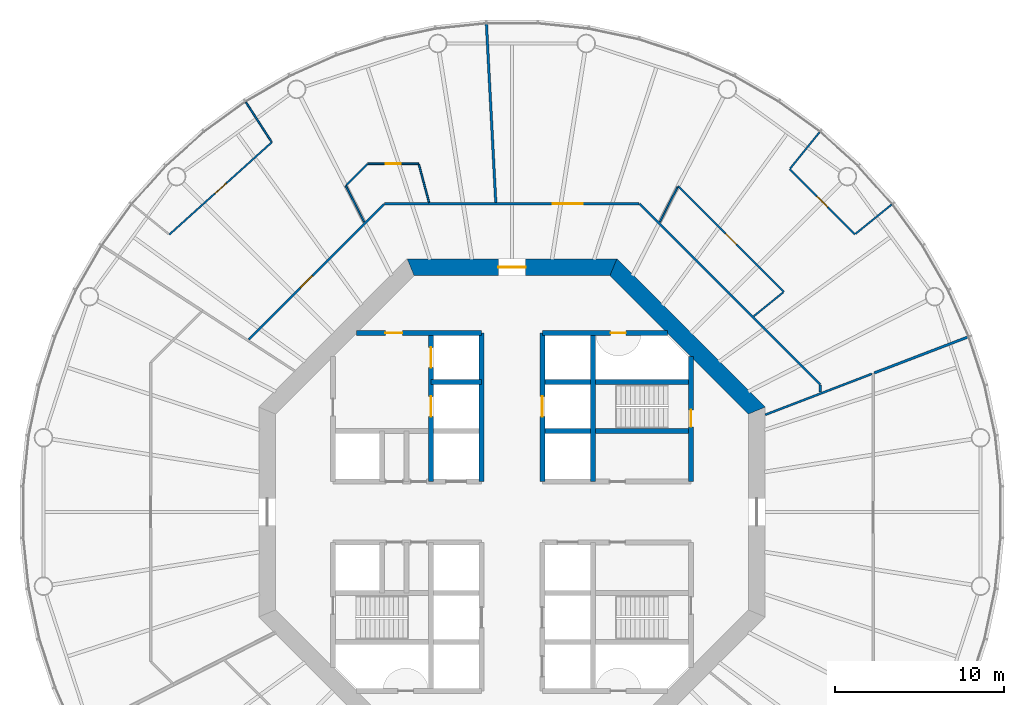
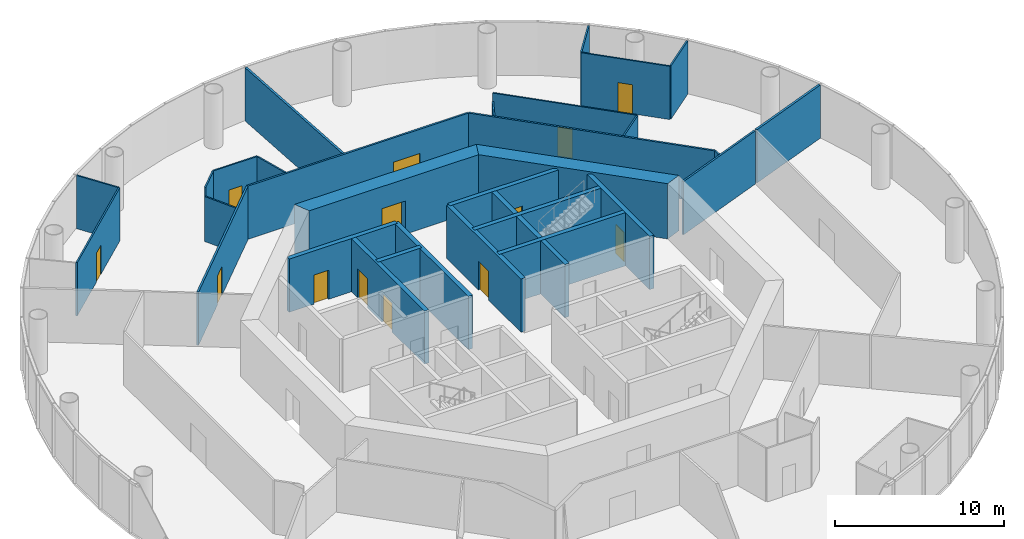
# One storey, part 5 of 13: 31 walls, 13 doors, 13 openings.
"""IFC4 building model written with IfcOpenShell, lengths in metres."""

import ifcopenshell
import ifcopenshell.guid

model = None  # the IFC model being written
_history = None  # IfcOwnerHistory: only IFC2X3 demands one
_inside = {}  # id of a spatial element -> (the spatial element, [elements in it])
_under = {}  # id of a project, library or spatial element -> (it, [spatial elements below it])
_declared = {}  # id of a project -> (the project, [libraries it declares])
_typed = {}  # id of a type object -> (the type object, [elements of that type])
_made_of = {}  # id of a material, layer set ... -> (it, [elements and type objects made of it])


def new_model(schema):
    """Start an empty IFC model of exactly this schema.

    Asked for "IFC4X3", IfcOpenShell would pick the latest addendum, in which some entities
    have other attributes; the version numbers below select the first issue.
    IFC2X3 requires an IfcOwnerHistory on every rooted entity: one is made here for all.
    """
    global model, _history
    if schema == "IFC4X3":
        model = ifcopenshell.file(schema_version=(4, 3, 0, 0))
    else:
        model = ifcopenshell.file(schema=schema)
    _inside.clear()
    _under.clear()
    _declared.clear()
    _typed.clear()
    _made_of.clear()
    _history = None
    if model.schema == "IFC2X3":
        org = make("IfcOrganization", Name="unknown")
        user = make(
            "IfcPersonAndOrganization",
            ThePerson=make("IfcPerson", FamilyName="unknown"),
            TheOrganization=org,
        )
        app = make(
            "IfcApplication",
            ApplicationDeveloper=org,
            Version="unknown",
            ApplicationFullName="unknown",
            ApplicationIdentifier="unknown",
        )
        _history = make(
            "IfcOwnerHistory",
            OwningUser=user,
            OwningApplication=app,
            ChangeAction="ADDED",
            CreationDate=0,
        )
    return model


def make(cls, **values):
    """One entity of the class cls with the attributes given. An attribute that is None is left unset."""
    return model.create_entity(
        cls, **{name: value for name, value in values.items() if value is not None}
    )


def rooted(cls, **values):
    """An entity with a GlobalId (a new one), such as an element, a storey or a relation."""
    return make(cls, GlobalId=ifcopenshell.guid.new(), OwnerHistory=_history, **values)


def si_unit(unit_type, name, prefix=None):
    """IfcSIUnit, for example si_unit("LENGTHUNIT", "METRE", prefix="MILLI")."""
    return make("IfcSIUnit", UnitType=unit_type, Prefix=prefix, Name=name)


def assignment(units):
    """IfcUnitAssignment: the units of a project."""
    return None if units is None else make("IfcUnitAssignment", Units=units)


def point(xyz):
    """IfcCartesianPoint."""
    return None if xyz is None else make("IfcCartesianPoint", Coordinates=xyz)


def direction(xyz):
    """IfcDirection."""
    return None if xyz is None else make("IfcDirection", DirectionRatios=xyz)


def frame(location, z_axis=None, x_axis=None):
    """IfcAxis2Placement3D, a coordinate frame: its origin and axes. An axis left out is left unset."""
    return make(
        "IfcAxis2Placement3D",
        Location=point(location),
        Axis=direction(z_axis),
        RefDirection=direction(x_axis),
    )


def frame_2d(location, x_axis=None):
    """IfcAxis2Placement2D, a coordinate frame in the plane: its origin and x axis."""
    return make(
        "IfcAxis2Placement2D", Location=point(location), RefDirection=direction(x_axis)
    )


def origin():
    """The frame at (0, 0, 0) with its axes left unset."""
    return frame((0.0, 0.0, 0.0))


def place(relative_to, where):
    """IfcLocalPlacement: puts the frame where relative to a parent placement (None: the world)."""
    return make(
        "IfcLocalPlacement", PlacementRelTo=relative_to, RelativePlacement=where
    )


def context(
    kind, dimensions, precision=None, world=None, true_north=None, identifier=None
):
    """IfcGeometricRepresentationContext, for example the 3D "Model" context."""
    return make(
        "IfcGeometricRepresentationContext",
        ContextIdentifier=identifier,
        ContextType=kind,
        CoordinateSpaceDimension=dimensions,
        Precision=precision,
        WorldCoordinateSystem=world,
        TrueNorth=true_north,
    )


def subcontext(parent, identifier, kind, view, scale=None):
    """IfcGeometricRepresentationSubContext, for example "Body" below "Model"."""
    return make(
        "IfcGeometricRepresentationSubContext",
        ContextIdentifier=identifier,
        ContextType=kind,
        ParentContext=parent,
        TargetScale=scale,
        TargetView=view,
    )


def project(units=None, contexts=None):
    """IfcProject with its units and contexts."""
    return rooted(
        "IfcProject",
        Name="project",
        RepresentationContexts=contexts,
        UnitsInContext=assignment(units),
    )


def spatial(cls, under=None, at=None, **own):
    """A site, building, storey or space (cls), placed at a placement, below another one or the project."""
    s = rooted(cls, ObjectPlacement=at, **own)
    if under is not None:
        _under.setdefault(under.id(), (under, []))[1].append(s)
    return s


def polyline(points):
    """IfcPolyline through the points."""
    return make("IfcPolyline", Points=[point(p) for p in points])


def profile(cls, at=None, kind="AREA", **sizes):
    """A parametric profile (cls). Its sizes go by their IFC names, for example OverallWidth=200.0."""
    return make(cls, ProfileType=kind, Position=at, **sizes)


def rectangle(**sizes):
    """IfcRectangleProfileDef."""
    return profile("IfcRectangleProfileDef", **sizes)


def outline(outer, holes=None, kind="AREA"):
    """IfcArbitraryClosedProfileDef: a profile drawn as a closed curve; with holes, ...WithVoids."""
    if holes is None:
        return make("IfcArbitraryClosedProfileDef", ProfileType=kind, OuterCurve=outer)
    return make(
        "IfcArbitraryProfileDefWithVoids",
        ProfileType=kind,
        OuterCurve=outer,
        InnerCurves=holes,
    )


def extrude(swept, where, along, depth):
    """IfcExtrudedAreaSolid: the profile swept, set in the frame where, extruded along a direction by depth."""
    return make(
        "IfcExtrudedAreaSolid",
        SweptArea=swept,
        Position=where,
        ExtrudedDirection=direction(along),
        Depth=depth,
    )


def shape(context_of_items, identifier, shape_type, items):
    """IfcShapeRepresentation: the items that make up one representation, for example the "Body"."""
    return make(
        "IfcShapeRepresentation",
        ContextOfItems=context_of_items,
        RepresentationIdentifier=identifier,
        RepresentationType=shape_type,
        Items=items,
    )


def material(Name=None, Category=None):
    """IfcMaterial."""
    return make("IfcMaterial", Name=Name, Category=Category)


def layer(
    of_material, thickness, ventilated=None, Name=None, Category=None, Priority=None
):
    """IfcMaterialLayer: one layer of a wall or slab, of a material (None: an air gap)."""
    return make(
        "IfcMaterialLayer",
        Material=of_material,
        LayerThickness=thickness,
        IsVentilated=ventilated,
        Name=Name,
        Category=Category,
        Priority=Priority,
    )


def layer_set(layers, Name=None):
    """IfcMaterialLayerSet."""
    return make("IfcMaterialLayerSet", MaterialLayers=layers, LayerSetName=Name)


def made_of(thing, what):
    """Note that an element or type object is made of a material, layer set ...; save() writes the relation."""
    if what is not None:
        _made_of.setdefault(what.id(), (what, []))[1].append(thing)
    return thing


def type_object(cls, material=None, **own):
    """A type object (cls), such as IfcWallType, which elements share."""
    return made_of(rooted(cls, **own), material)


def element(
    cls,
    number,
    at=None,
    inside=None,
    cuts=None,
    type_object=None,
    material=None,
    context=None,
    identifier="Body",
    shape_type=None,
    held_by="IfcProductDefinitionShape",
    body=None,
    shapes=None,
    **own,
):
    """One element of the class cls, such as IfcWall. Its Tag is "e" and its number.

    at: its placement. inside: the storey or other place that contains it. cuts: it is an
    opening in that element (IfcRelVoidsElement). A single representation is given by context,
    identifier, shape_type and body (its items); several are given by shapes. held_by: the class
    of the entity that holds the representations. save() writes the other relations.
    """
    e = rooted(cls, Tag="e%d" % number, ObjectPlacement=at, **own)
    if body is not None:
        shapes = [shape(context, identifier, shape_type, body)]
    if shapes is not None:
        e.Representation = make(held_by, Representations=shapes)
    if inside is not None:
        _inside.setdefault(inside.id(), (inside, []))[1].append(e)
    if cuts is not None:
        rooted(
            "IfcRelVoidsElement", RelatingBuildingElement=cuts, RelatedOpeningElement=e
        )
    if type_object is not None:
        _typed.setdefault(type_object.id(), (type_object, []))[1].append(e)
    return made_of(e, material)


def fill(opening, filler):
    """IfcRelFillsElement: the door or window that sits in an opening."""
    return rooted(
        "IfcRelFillsElement",
        RelatingOpeningElement=opening,
        RelatedBuildingElement=filler,
    )


def aggregate(whole, parts):
    """IfcRelAggregates: a whole, such as a stair, and the parts it consists of."""
    return rooted("IfcRelAggregates", RelatingObject=whole, RelatedObjects=parts)


def save(model, path):
    """Write the relations noted so far, then the file.

    IfcRelAggregates (storeys below a building ...), IfcRelContainedInSpatialStructure (elements
    in a storey), IfcRelDefinesByType, IfcRelAssociatesMaterial and IfcRelDeclares: one each for
    every whole, place, type object, material and project.
    """
    for whole, parts in _under.values():
        aggregate(whole, parts)
    for where, things in _inside.values():
        rooted(
            "IfcRelContainedInSpatialStructure",
            RelatedElements=things,
            RelatingStructure=where,
        )
    for kind, things in _typed.values():
        rooted("IfcRelDefinesByType", RelatedObjects=things, RelatingType=kind)
    for what, things in _made_of.values():
        rooted("IfcRelAssociatesMaterial", RelatedObjects=things, RelatingMaterial=what)
    for by, libraries in _declared.values():
        rooted("IfcRelDeclares", RelatingContext=by, RelatedDefinitions=libraries)
    model.write(path)


model = new_model("IFC4")

# Units and contexts
model_context = context("Model", 3, precision=1e-05, world=origin(), true_north=direction((0.0, 1.0)))
body_context = subcontext(model_context, "Body", "Model", "MODEL_VIEW")
ifc_project = project(units=[si_unit("LENGTHUNIT", "METRE"), si_unit("AREAUNIT", "SQUARE_METRE"), si_unit("VOLUMEUNIT", "CUBIC_METRE"), si_unit("PLANEANGLEUNIT", "RADIAN"), si_unit("MASSUNIT", "GRAM", prefix="KILO")], contexts=[model_context])

# Site, building, storey
site_placement = place(None, origin())
site = spatial("IfcSite", under=ifc_project, at=site_placement, CompositionType="ELEMENT")
building_placement = place(site_placement, origin())
building = spatial("IfcBuilding", under=site, at=building_placement, Name="Entoto Ring Tower", CompositionType="ELEMENT")
storey_placement = place(building_placement, frame((0.0, 0.0, 184.0)))
storey = spatial("IfcBuildingStorey", under=building, at=storey_placement, Name="L42", CompositionType="ELEMENT", Elevation=184.0)

# Wall, opening, door
ifc_material_1 = material(Name="Concrete C40/50", Category="concrete")
ifc_layer_1 = layer(ifc_material_1, 0.300048828125)
ifc_layer_set_1 = layer_set([ifc_layer_1], Name="Concrete C40/50")
wall_type_1 = type_object("IfcWallType", Name="Core enclosure wall 300 mm reinforced concrete", PredefinedType="SOLIDWALL", material=ifc_layer_set_1)
wall_1_placement = place(storey_placement, frame((100.60009765625, 81.800048828125, 0.0), z_axis=(0.0, 0.0, 1.0), x_axis=(0.0, 1.0, 0.0)))
wall_1 = element("IfcWall", 1, at=wall_1_placement, inside=storey, type_object=wall_type_1, Name="wall-L42-002", PredefinedType="SOLIDWALL", context=body_context, shape_type="SweptSolid", body=[
    extrude(rectangle(XDim=7.39892578125, YDim=0.300048828125, at=frame_2d((3.699462890625, 0.0))), origin(), (0.0, 0.0, 1.0), 3.85009765625),
])
opening_1_placement = place(wall_1_placement, frame((3.25, 0.0, 0.0)))
opening_1 = element("IfcOpeningElement", 2, at=opening_1_placement, cuts=wall_1, Name="Opening K-17", PredefinedType="OPENING", context=body_context, shape_type="SweptSolid", body=[
    extrude(rectangle(XDim=1.0, YDim=2.10009765625, at=frame_2d((0.5, 1.050048828125))), frame((0.0, 0.16015625, 0.0), z_axis=(0.0, -1.0, 0.0), x_axis=(1.0, 0.0, 0.0)), (0.0, 0.0, 1.0), 0.320068359375),
])
ifc_material_2 = material(Name="Steel door leaf, fire rated", Category="steel")
ifc_layer_2 = layer(ifc_material_2, 0.050048828125)
ifc_layer_set_2 = layer_set([ifc_layer_2], Name="Steel door leaf, fire rated")
door_type_1 = type_object("IfcDoorType", Name="Fire door FD60 1000 x 2100 single leaf", OperationType="NOTDEFINED", PredefinedType="DOOR", material=ifc_layer_set_2)
door_1_placement = place(opening_1_placement, origin())
door_1 = element("IfcDoor", 3, at=door_1_placement, inside=storey, type_object=door_type_1, Name="Door K-17", OperationType="SINGLE_SWING_LEFT", OverallHeight=2.10009765625, OverallWidth=1.0, PredefinedType="DOOR", context=body_context, shape_type="SweptSolid", body=[
    extrude(rectangle(XDim=1.0, YDim=2.10009765625, at=frame_2d((0.5, 1.050048828125))), frame((0.0, 0.02490234375, 0.0), z_axis=(0.0, -1.0, 0.0), x_axis=(1.0, 0.0, 0.0)), (0.0, 0.0, 1.0), 0.050048828125),
])
fill(opening_1, door_1)

# Wall
wall_2_placement = place(storey_placement, frame((94.800048828125, 81.800048828125, 0.0), z_axis=(0.0, 0.0, 1.0), x_axis=(0.0, 1.0, 0.0)))
element("IfcWall", 4, at=wall_2_placement, inside=storey, type_object=wall_type_1, Name="wall-L42-004", PredefinedType="SOLIDWALL", context=body_context, shape_type="SweptSolid", body=[
    extrude(rectangle(XDim=8.800048828125, YDim=0.300048828125, at=frame_2d((4.39990234375, 0.0))), origin(), (0.0, 0.0, 1.0), 3.85009765625),
])

# Wall, opening, door
wall_3_placement = place(storey_placement, frame((91.800048828125, 81.800048828125, 0.0), z_axis=(0.0, 0.0, 1.0), x_axis=(0.0, 1.0, 0.0)))
wall_3 = element("IfcWall", 5, at=wall_3_placement, inside=storey, type_object=wall_type_1, Name="wall-L42-006", PredefinedType="SOLIDWALL", context=body_context, shape_type="SweptSolid", body=[
    extrude(rectangle(XDim=8.800048828125, YDim=0.300048828125, at=frame_2d((4.39990234375, 0.0))), origin(), (0.0, 0.0, 1.0), 3.85009765625),
])
opening_2_placement = place(wall_3_placement, frame((3.85009765625, 0.0, 0.0)))
opening_2 = element("IfcOpeningElement", 6, at=opening_2_placement, cuts=wall_3, Name="Opening LD", PredefinedType="OPENING", context=body_context, shape_type="SweptSolid", body=[
    extrude(rectangle(XDim=1.199951171875, YDim=2.10009765625, at=frame_2d((0.60009765625, 1.050048828125))), frame((0.0, 0.16015625, 0.0), z_axis=(0.0, -1.0, 0.0), x_axis=(1.0, 0.0, 0.0)), (0.0, 0.0, 1.0), 0.320068359375),
])
ifc_material_3 = material(Name="Steel and glass door leaf", Category="steel")
ifc_layer_3 = layer(ifc_material_3, 0.050048828125)
ifc_layer_set_3 = layer_set([ifc_layer_3], Name="Steel and glass door leaf")
door_type_2 = type_object("IfcDoorType", Name="Landing door 1200 x 2100 sliding", OperationType="DOUBLE_DOOR_SLIDING", PredefinedType="DOOR", material=ifc_layer_set_3)
door_2_placement = place(opening_2_placement, origin())
door_2 = element("IfcDoor", 7, at=door_2_placement, inside=storey, type_object=door_type_2, Name="Landing door LB1-MR", OperationType="SLIDING_TO_RIGHT", OverallHeight=2.10009765625, OverallWidth=1.199951171875, PredefinedType="DOOR", context=body_context, shape_type="SweptSolid", body=[
    extrude(rectangle(XDim=1.199951171875, YDim=2.10009765625, at=frame_2d((0.60009765625, 1.050048828125))), frame((0.0, 0.02490234375, 0.0), z_axis=(0.0, -1.0, 0.0), x_axis=(1.0, 0.0, 0.0)), (0.0, 0.0, 1.0), 0.050048828125),
])
fill(opening_2, door_2)

# Wall
wall_4_placement = place(storey_placement, frame((88.199951171875, 81.800048828125, 0.0), z_axis=(0.0, 0.0, 1.0), x_axis=(0.0, 1.0, 0.0)))
element("IfcWall", 8, at=wall_4_placement, inside=storey, type_object=wall_type_1, Name="wall-L42-008", PredefinedType="SOLIDWALL", context=body_context, shape_type="SweptSolid", body=[
    extrude(rectangle(XDim=8.800048828125, YDim=0.300048828125, at=frame_2d((4.39990234375, 0.0))), origin(), (0.0, 0.0, 1.0), 3.85009765625),
])

# Wall, openings, doors
wall_5_placement = place(storey_placement, frame((85.199951171875, 81.800048828125, 0.0), z_axis=(0.0, 0.0, 1.0), x_axis=(0.0, 1.0, 0.0)))
wall_5 = element("IfcWall", 9, at=wall_5_placement, inside=storey, type_object=wall_type_1, Name="wall-L42-010", PredefinedType="SOLIDWALL", context=body_context, shape_type="SweptSolid", body=[
    extrude(rectangle(XDim=8.800048828125, YDim=0.300048828125, at=frame_2d((4.39990234375, 0.0))), origin(), (0.0, 0.0, 1.0), 3.85009765625),
])
opening_3_placement = place(wall_5_placement, frame((3.85009765625, 0.0, 0.0)))
opening_3 = element("IfcOpeningElement", 10, at=opening_3_placement, cuts=wall_5, Name="Opening LD", PredefinedType="OPENING", context=body_context, shape_type="SweptSolid", body=[
    extrude(rectangle(XDim=1.199951171875, YDim=2.10009765625, at=frame_2d((0.60009765625, 1.050048828125))), frame((0.0, 0.16015625, 0.0), z_axis=(0.0, -1.0, 0.0), x_axis=(1.0, 0.0, 0.0)), (0.0, 0.0, 1.0), 0.320068359375),
])
opening_4_placement = place(wall_5_placement, frame((6.75, 0.0, 0.0)))
opening_4 = element("IfcOpeningElement", 11, at=opening_4_placement, cuts=wall_5, Name="Opening LD", PredefinedType="OPENING", context=body_context, shape_type="SweptSolid", body=[
    extrude(rectangle(XDim=1.199951171875, YDim=2.10009765625, at=frame_2d((0.60009765625, 1.050048828125))), frame((0.0, 0.16015625, 0.0), z_axis=(0.0, -1.0, 0.0), x_axis=(1.0, 0.0, 0.0)), (0.0, 0.0, 1.0), 0.320068359375),
])
door_3_placement = place(opening_3_placement, origin())
door_3 = element("IfcDoor", 12, at=door_3_placement, inside=storey, type_object=door_type_2, Name="Landing door FF1", OperationType="SLIDING_TO_RIGHT", OverallHeight=2.10009765625, OverallWidth=1.199951171875, PredefinedType="DOOR", context=body_context, shape_type="SweptSolid", body=[
    extrude(rectangle(XDim=1.199951171875, YDim=2.10009765625, at=frame_2d((0.60009765625, 1.050048828125))), frame((0.0, 0.02490234375, 0.0), z_axis=(0.0, -1.0, 0.0), x_axis=(1.0, 0.0, 0.0)), (0.0, 0.0, 1.0), 0.050048828125),
])
fill(opening_3, door_3)
door_4_placement = place(opening_4_placement, origin())
door_4 = element("IfcDoor", 13, at=door_4_placement, inside=storey, type_object=door_type_2, Name="Landing door FF2", OperationType="SLIDING_TO_RIGHT", OverallHeight=2.10009765625, OverallWidth=1.199951171875, PredefinedType="DOOR", context=body_context, shape_type="SweptSolid", body=[
    extrude(rectangle(XDim=1.199951171875, YDim=2.10009765625, at=frame_2d((0.60009765625, 1.050048828125))), frame((0.0, 0.02490234375, 0.0), z_axis=(0.0, -1.0, 0.0), x_axis=(1.0, 0.0, 0.0)), (0.0, 0.0, 1.0), 0.050048828125),
])
fill(opening_4, door_4)

# Walls
wall_6_placement = place(storey_placement, frame((91.800048828125, 84.800048828125, 0.0), z_axis=(0.0, 0.0, 1.0), x_axis=(1.0, 0.0, 0.0)))
element("IfcWall", 14, at=wall_6_placement, inside=storey, type_object=wall_type_1, Name="wall-L42-028", PredefinedType="SOLIDWALL", context=body_context, shape_type="SweptSolid", body=[
    extrude(rectangle(XDim=8.800048828125, YDim=0.300048828125, at=frame_2d((4.39990234375, 0.0))), origin(), (0.0, 0.0, 1.0), 3.85009765625),
])
wall_7_placement = place(storey_placement, frame((85.199951171875, 87.699951171875, 0.0), z_axis=(0.0, 0.0, 1.0), x_axis=(1.0, 0.0, 0.0)))
element("IfcWall", 15, at=wall_7_placement, inside=storey, type_object=wall_type_1, Name="wall-L42-029", PredefinedType="SOLIDWALL", context=body_context, shape_type="SweptSolid", body=[
    extrude(rectangle(XDim=3.0, YDim=0.300048828125, at=frame_2d((1.5, 0.0))), origin(), (0.0, 0.0, 1.0), 3.85009765625),
])
wall_8_placement = place(storey_placement, frame((91.800048828125, 87.699951171875, 0.0), z_axis=(0.0, 0.0, 1.0), x_axis=(1.0, 0.0, 0.0)))
element("IfcWall", 16, at=wall_8_placement, inside=storey, type_object=wall_type_1, Name="wall-L42-030", PredefinedType="SOLIDWALL", context=body_context, shape_type="SweptSolid", body=[
    extrude(rectangle(XDim=8.800048828125, YDim=0.300048828125, at=frame_2d((4.39990234375, 0.0))), origin(), (0.0, 0.0, 1.0), 3.85009765625),
])

# Wall, opening, door
wall_9_placement = place(storey_placement, frame((80.801025390625, 90.60009765625, 0.0), z_axis=(0.0, 0.0, 1.0), x_axis=(1.0, 0.0, 0.0)))
wall_9 = element("IfcWall", 17, at=wall_9_placement, inside=storey, type_object=wall_type_1, Name="wall-L42-031", PredefinedType="SOLIDWALL", context=body_context, shape_type="SweptSolid", body=[
    extrude(rectangle(XDim=7.39892578125, YDim=0.300048828125, at=frame_2d((3.699462890625, 0.0))), origin(), (0.0, 0.0, 1.0), 3.85009765625),
])
opening_5_placement = place(wall_9_placement, frame((1.698974609375, 0.0, 0.0)))
opening_5 = element("IfcOpeningElement", 18, at=opening_5_placement, cuts=wall_9, Name="Opening K-73", PredefinedType="OPENING", context=body_context, shape_type="SweptSolid", body=[
    extrude(rectangle(XDim=1.0, YDim=2.10009765625, at=frame_2d((0.5, 1.050048828125))), frame((0.0, 0.16015625, 0.0), z_axis=(0.0, -1.0, 0.0), x_axis=(1.0, 0.0, 0.0)), (0.0, 0.0, 1.0), 0.320068359375),
])
door_5_placement = place(opening_5_placement, frame((1.0, 0.0, 0.0), z_axis=(0.0, 0.0, 1.0), x_axis=(-1.0, 0.0, 0.0)))
door_5 = element("IfcDoor", 19, at=door_5_placement, inside=storey, type_object=door_type_1, Name="Door K-73", OperationType="SINGLE_SWING_LEFT", OverallHeight=2.10009765625, OverallWidth=1.0, PredefinedType="DOOR", context=body_context, shape_type="SweptSolid", body=[
    extrude(rectangle(XDim=1.0, YDim=2.10009765625, at=frame_2d((0.5, 1.050048828125))), frame((0.0, 0.02490234375, 0.0), z_axis=(0.0, -1.0, 0.0), x_axis=(1.0, 0.0, 0.0)), (0.0, 0.0, 1.0), 0.050048828125),
])
fill(opening_5, door_5)

wall_10_placement = place(storey_placement, frame((91.800048828125, 90.60009765625, 0.0), z_axis=(0.0, 0.0, 1.0), x_axis=(1.0, 0.0, 0.0)))
wall_10 = element("IfcWall", 20, at=wall_10_placement, inside=storey, type_object=wall_type_1, Name="wall-L42-032", PredefinedType="SOLIDWALL", context=body_context, shape_type="SweptSolid", body=[
    extrude(rectangle(XDim=7.39892578125, YDim=0.300048828125, at=frame_2d((3.699462890625, 0.0))), origin(), (0.0, 0.0, 1.0), 3.85009765625),
])
opening_6_placement = place(wall_10_placement, frame((4.050048828125, 0.0, 0.0)))
opening_6 = element("IfcOpeningElement", 21, at=opening_6_placement, cuts=wall_10, Name="Opening K-20", PredefinedType="OPENING", context=body_context, shape_type="SweptSolid", body=[
    extrude(rectangle(XDim=0.89990234375, YDim=2.10009765625, at=frame_2d((0.449951171875, 1.050048828125))), frame((0.0, 0.16015625, 0.0), z_axis=(0.0, -1.0, 0.0), x_axis=(1.0, 0.0, 0.0)), (0.0, 0.0, 1.0), 0.320068359375),
])
ifc_material_4 = material(Name="Steel door leaf, fire rated", Category="steel")
ifc_layer_4 = layer(ifc_material_4, 0.050048828125)
ifc_layer_set_4 = layer_set([ifc_layer_4], Name="Steel door leaf, fire rated")
door_type_3 = type_object("IfcDoorType", Name="Riser door FD60 900 x 2100 single leaf", OperationType="NOTDEFINED", PredefinedType="DOOR", material=ifc_layer_set_4)
door_6_placement = place(opening_6_placement, frame((0.89990234375, 0.0, 0.0), z_axis=(0.0, 0.0, 1.0), x_axis=(-1.0, 0.0, 0.0)))
door_6 = element("IfcDoor", 22, at=door_6_placement, inside=storey, type_object=door_type_3, Name="Door K-20", OperationType="SINGLE_SWING_RIGHT", OverallHeight=2.10009765625, OverallWidth=0.89990234375, PredefinedType="DOOR", context=body_context, shape_type="SweptSolid", body=[
    extrude(rectangle(XDim=0.89990234375, YDim=2.10009765625, at=frame_2d((0.449951171875, 1.050048828125))), frame((0.0, 0.02490234375, 0.0), z_axis=(0.0, -1.0, 0.0), x_axis=(1.0, 0.0, 0.0)), (0.0, 0.0, 1.0), 0.050048828125),
])
fill(opening_6, door_6)

# Wall
ifc_material_5 = material(Name="Concrete C50/60", Category="concrete")
ifc_layer_5 = layer(ifc_material_5, 1.0)
ifc_layer_set_5 = layer_set([ifc_layer_5], Name="Concrete C50/60")
wall_type_2 = type_object("IfcWallType", Name="Core shear wall 1000 mm reinforced concrete C50/60", PredefinedType="SHEAR", material=ifc_layer_set_5)
wall_11_placement = place(storey_placement, frame((104.5, 86.006103515625, 0.0), z_axis=(0.0, 0.0, 1.0), x_axis=(-0.707106781187, 0.707106781187, 0.0)))
element("IfcWall", 23, at=wall_11_placement, inside=storey, type_object=wall_type_2, Name="wall-L42-core-1", PredefinedType="SHEAR", context=body_context, shape_type="SweptSolid", body=[
    extrude(outline(polyline([(-0.20703125, -0.5), (12.21923828125, -0.5), (11.80517578125, 0.5), (0.20703125, 0.5), (-0.20703125, -0.5)])), origin(), (0.0, 0.0, 1.0), 4.0),
])

# Wall, opening, door
wall_12_placement = place(storey_placement, frame((96.006103515625, 94.5, 0.0), z_axis=(0.0, 0.0, 1.0), x_axis=(-1.0, 0.0, 0.0)))
wall_12 = element("IfcWall", 24, at=wall_12_placement, inside=storey, type_object=wall_type_2, Name="wall-L42-core-2", PredefinedType="SHEAR", context=body_context, shape_type="SweptSolid", body=[
    extrude(outline(polyline([(-0.20703125, -0.5), (12.21923828125, -0.5), (11.80517578125, 0.5), (0.20703125, 0.5), (-0.20703125, -0.5)])), origin(), (0.0, 0.0, 1.0), 4.0),
])
opening_7_placement = place(wall_12_placement, frame((5.2060546875, 0.0, 0.0)))
opening_7 = element("IfcOpeningElement", 25, at=opening_7_placement, cuts=wall_12, Name="Opening K-02", PredefinedType="OPENING", context=body_context, shape_type="SweptSolid", body=[
    extrude(rectangle(XDim=1.60009765625, YDim=2.39990234375, at=frame_2d((0.800048828125, 1.199951171875))), frame((0.0, 0.510009765625, 0.0), z_axis=(0.0, -1.0, 0.0), x_axis=(1.0, 0.0, 0.0)), (0.0, 0.0, 1.0), 1.02001953125),
])
ifc_material_6 = material(Name="Steel door leaf, fire rated", Category="steel")
ifc_layer_6 = layer(ifc_material_6, 0.050048828125)
ifc_layer_set_6 = layer_set([ifc_layer_6], Name="Steel door leaf, fire rated")
door_type_4 = type_object("IfcDoorType", Name="Entrance door FD60 1600 x 2400 double leaf", OperationType="DOUBLE_DOOR_SINGLE_SWING", PredefinedType="DOOR", material=ifc_layer_set_6)
door_7_placement = place(opening_7_placement, origin())
door_7 = element("IfcDoor", 26, at=door_7_placement, inside=storey, type_object=door_type_4, Name="Entrance door K-02", OperationType="DOUBLE_DOOR_SINGLE_SWING", OverallHeight=2.39990234375, OverallWidth=1.60009765625, PredefinedType="DOOR", context=body_context, shape_type="SweptSolid", body=[
    extrude(rectangle(XDim=1.60009765625, YDim=2.39990234375, at=frame_2d((0.800048828125, 1.199951171875))), frame((0.0, 0.02490234375, 0.0), z_axis=(0.0, -1.0, 0.0), x_axis=(1.0, 0.0, 0.0)), (0.0, 0.0, 1.0), 0.050048828125),
])
fill(opening_7, door_7)

# Wall
ifc_material_7 = material(Name="Fire-resisting plasterboard on steel studs", Category="steel")
ifc_layer_7 = layer(ifc_material_7, 0.125)
ifc_layer_set_7 = layer_set([ifc_layer_7], Name="Fire-resisting plasterboard on steel studs")
wall_type_3 = type_object("IfcWallType", Name="Corridor wall 125 mm one-hour plasterboard on steel studs", PredefinedType="PARTITIONING", material=ifc_layer_set_7)
wall_13_placement = place(storey_placement, frame((108.262451171875, 87.564697265625, 0.0), z_axis=(0.0, 0.0, 1.0), x_axis=(-0.707106781187, 0.707106781187, 0.0)))
element("IfcWall", 27, at=wall_13_placement, inside=storey, type_object=wall_type_3, Name="partition-L42-003", PredefinedType="PARTITIONING", context=body_context, shape_type="SweptSolid", body=[
    extrude(rectangle(XDim=15.12890625, YDim=0.125, at=frame_2d((7.564453125, 0.0))), origin(), (0.0, 0.0, 1.0), 3.85009765625),
])

# Wall, opening, door
wall_14_placement = place(storey_placement, frame((82.435302734375, 98.262451171875, 0.0), z_axis=(0.0, 0.0, 1.0), x_axis=(1.0, 0.0, 0.0)))
wall_14 = element("IfcWall", 28, at=wall_14_placement, inside=storey, type_object=wall_type_3, Name="partition-L42-005", PredefinedType="PARTITIONING", context=body_context, shape_type="SweptSolid", body=[
    extrude(rectangle(XDim=15.085205078125, YDim=0.125, at=frame_2d((7.54248046875, 0.0))), origin(), (0.0, 0.0, 1.0), 3.85009765625),
])
opening_8_placement = place(wall_14_placement, frame((9.96826171875, 0.0, 0.0)))
opening_8 = element("IfcOpeningElement", 29, at=opening_8_placement, cuts=wall_14, Name="Opening A18-D03", PredefinedType="OPENING", context=body_context, shape_type="SweptSolid", body=[
    extrude(rectangle(XDim=1.800048828125, YDim=2.10009765625, at=frame_2d((0.89990234375, 1.050048828125))), frame((0.0, 0.072509765625, 0.0), z_axis=(0.0, -1.0, 0.0), x_axis=(1.0, 0.0, 0.0)), (0.0, 0.0, 1.0), 0.14501953125),
])
ifc_material_8 = material(Name="Fire-resisting timber door set", Category="wood")
door_type_5 = type_object("IfcDoorType", Name="Door 1800 x 2100 double leaf FD30S fire door", OperationType="DOUBLE_DOOR_SINGLE_SWING", PredefinedType="DOOR", material=ifc_material_8)
door_8_placement = place(opening_8_placement, origin())
door_8 = element("IfcDoor", 30, at=door_8_placement, inside=storey, type_object=door_type_5, Name="Door A18-D03", OperationType="DOUBLE_DOOR_SINGLE_SWING", OverallHeight=2.10009765625, OverallWidth=1.800048828125, PredefinedType="DOOR", context=body_context, shape_type="SweptSolid", body=[
    extrude(rectangle(XDim=1.800048828125, YDim=2.10009765625, at=frame_2d((0.89990234375, 1.050048828125))), frame((0.0, 0.02490234375, 0.0), z_axis=(0.0, -1.0, 0.0), x_axis=(1.0, 0.0, 0.0)), (0.0, 0.0, 1.0), 0.050048828125),
])
fill(opening_8, door_8)

wall_15_placement = place(storey_placement, frame((74.39599609375, 90.22314453125, 0.0), z_axis=(0.0, 0.0, 1.0), x_axis=(0.707106781187, 0.707106781187, 0.0)))
wall_15 = element("IfcWall", 31, at=wall_15_placement, inside=storey, type_object=wall_type_3, Name="partition-L42-007", PredefinedType="PARTITIONING", context=body_context, shape_type="SweptSolid", body=[
    extrude(rectangle(XDim=11.325439453125, YDim=0.125, at=frame_2d((5.66259765625, 0.0))), origin(), (0.0, 0.0, 1.0), 3.85009765625),
])
opening_9_placement = place(wall_15_placement, frame((4.330810546875, 0.0, 0.0)))
opening_9 = element("IfcOpeningElement", 32, at=opening_9_placement, cuts=wall_15, Name="Opening A18-D06", PredefinedType="OPENING", context=body_context, shape_type="SweptSolid", body=[
    extrude(rectangle(XDim=1.0, YDim=2.10009765625, at=frame_2d((0.5, 1.050048828125))), frame((0.0, 0.072509765625, 0.0), z_axis=(0.0, -1.0, 0.0), x_axis=(1.0, 0.0, 0.0)), (0.0, 0.0, 1.0), 0.14501953125),
])
ifc_material_9 = material(Name="Fire-resisting timber door set", Category="wood")
door_type_6 = type_object("IfcDoorType", Name="Door 1000 x 2100 single leaf FD30S fire door", OperationType="NOTDEFINED", PredefinedType="DOOR", material=ifc_material_9)
door_9_placement = place(opening_9_placement, origin())
door_9 = element("IfcDoor", 33, at=door_9_placement, inside=storey, type_object=door_type_6, Name="Door A18-D06", OperationType="SINGLE_SWING_LEFT", OverallHeight=2.10009765625, OverallWidth=1.0, PredefinedType="DOOR", context=body_context, shape_type="SweptSolid", body=[
    extrude(rectangle(XDim=1.0, YDim=2.10009765625, at=frame_2d((0.5, 1.050048828125))), frame((0.0, 0.02490234375, 0.0), z_axis=(0.0, -1.0, 0.0), x_axis=(1.0, 0.0, 0.0)), (0.0, 0.0, 1.0), 0.050048828125),
])
fill(opening_9, door_9)

# Walls
wall_16_placement = place(storey_placement, frame((105.0, 85.758056640625, 0.0), z_axis=(0.0, 0.0, 1.0), x_axis=(0.933585389183, 0.358355021038, 0.0)))
element("IfcWall", 34, at=wall_16_placement, inside=storey, type_object=wall_type_3, Name="partition-L42-009", PredefinedType="PARTITIONING", context=body_context, shape_type="SweptSolid", body=[
    extrude(rectangle(XDim=6.764404296875, YDim=0.125, at=frame_2d((3.38232421875, 0.0))), origin(), (0.0, 0.0, 1.0), 3.85009765625),
])
wall_17_placement = place(storey_placement, frame((108.262451171875, 87.10107421875, 0.0), z_axis=(0.0, 0.0, 1.0), x_axis=(0.0, 1.0, 0.0)))
element("IfcWall", 35, at=wall_17_placement, inside=storey, type_object=wall_type_3, Name="partition-L42-016", PredefinedType="PARTITIONING", context=body_context, shape_type="SweptSolid", body=[
    extrude(rectangle(XDim=0.41943359375, YDim=0.125, at=frame_2d((0.209716796875, 0.0))), origin(), (0.0, 0.0, 1.0), 3.85009765625),
])

# Wall, opening, door
ifc_material_10 = material(Name="Plasterboard on steel studs", Category="steel")
ifc_layer_8 = layer(ifc_material_10, 0.10009765625)
ifc_layer_set_8 = layer_set([ifc_layer_8], Name="Plasterboard on steel studs")
wall_type_4 = type_object("IfcWallType", Name="Partition 100 mm plasterboard on steel studs", PredefinedType="PARTITIONING", material=ifc_layer_set_8)
wall_18_placement = place(storey_placement, frame((106.107177734375, 93.043212890625, 0.0), z_axis=(0.0, 0.0, 1.0), x_axis=(-0.707093009375, 0.70712055273, 0.0)))
wall_18 = element("IfcWall", 36, at=wall_18_placement, inside=storey, type_object=wall_type_4, Name="partition-L42-023", PredefinedType="PARTITIONING", context=body_context, shape_type="SweptSolid", body=[
    extrude(rectangle(XDim=8.86376953125, YDim=0.10009765625, at=frame_2d((4.431884765625, 0.0))), origin(), (0.0, 0.0, 1.0), 3.85009765625),
])
opening_10_placement = place(wall_18_placement, frame((3.98193359375, 0.0, 0.0)))
opening_10 = element("IfcOpeningElement", 37, at=opening_10_placement, cuts=wall_18, Name="Opening A18-D04", PredefinedType="OPENING", context=body_context, shape_type="SweptSolid", body=[
    extrude(rectangle(XDim=0.89990234375, YDim=2.10009765625, at=frame_2d((0.449951171875, 1.050048828125))), frame((0.0, 0.06005859375, 0.0), z_axis=(0.0, -1.0, 0.0), x_axis=(1.0, 0.0, 0.0)), (0.0, 0.0, 1.0), 0.1201171875),
])
ifc_material_11 = material(Name="Veneered timber door leaf in timber frame", Category="wood")
door_type_7 = type_object("IfcDoorType", Name="Door 900 x 2100 single leaf timber veneer", OperationType="NOTDEFINED", PredefinedType="DOOR", material=ifc_material_11)
door_10_placement = place(opening_10_placement, origin())
door_10 = element("IfcDoor", 38, at=door_10_placement, inside=storey, type_object=door_type_7, Name="Door A18-D04", OperationType="SINGLE_SWING_RIGHT", OverallHeight=2.10009765625, OverallWidth=0.89990234375, PredefinedType="DOOR", context=body_context, shape_type="SweptSolid", body=[
    extrude(rectangle(XDim=0.89990234375, YDim=2.10009765625, at=frame_2d((0.449951171875, 1.050048828125))), frame((0.0, 0.02490234375, 0.0), z_axis=(0.0, -1.0, 0.0), x_axis=(1.0, 0.0, 0.0)), (0.0, 0.0, 1.0), 0.050048828125),
])
fill(opening_10, door_10)

wall_19_placement = place(storey_placement, frame((69.700927734375, 96.437744140625, 0.0), z_axis=(0.0, 0.0, 1.0), x_axis=(0.743138149353, 0.669138020872, 0.0)))
wall_19 = element("IfcWall", 39, at=wall_19_placement, inside=storey, type_object=wall_type_4, Name="partition-L42-024", PredefinedType="PARTITIONING", context=body_context, shape_type="SweptSolid", body=[
    extrude(rectangle(XDim=8.172119140625, YDim=0.10009765625, at=frame_2d((4.0859375, 0.0))), origin(), (0.0, 0.0, 1.0), 3.85009765625),
])
opening_11_placement = place(wall_19_placement, frame((3.635986328125, 0.0, 0.0)))
opening_11 = element("IfcOpeningElement", 40, at=opening_11_placement, cuts=wall_19, Name="Opening A18-D08", PredefinedType="OPENING", context=body_context, shape_type="SweptSolid", body=[
    extrude(rectangle(XDim=0.89990234375, YDim=2.10009765625, at=frame_2d((0.449951171875, 1.050048828125))), frame((0.0, 0.06005859375, 0.0), z_axis=(0.0, -1.0, 0.0), x_axis=(1.0, 0.0, 0.0)), (0.0, 0.0, 1.0), 0.1201171875),
])
door_11_placement = place(opening_11_placement, origin())
door_11 = element("IfcDoor", 41, at=door_11_placement, inside=storey, type_object=door_type_7, Name="Door A18-D08", OperationType="SINGLE_SWING_LEFT", OverallHeight=2.10009765625, OverallWidth=0.89990234375, PredefinedType="DOOR", context=body_context, shape_type="SweptSolid", body=[
    extrude(rectangle(XDim=0.89990234375, YDim=2.10009765625, at=frame_2d((0.449951171875, 1.050048828125))), frame((0.0, 0.02490234375, 0.0), z_axis=(0.0, -1.0, 0.0), x_axis=(1.0, 0.0, 0.0)), (0.0, 0.0, 1.0), 0.050048828125),
])
fill(opening_11, door_11)

wall_20_placement = place(storey_placement, frame((110.314697265625, 96.450439453125, 0.0), z_axis=(0.0, 0.0, 1.0), x_axis=(-0.707106781187, 0.707106781187, 0.0)))
wall_20 = element("IfcWall", 42, at=wall_20_placement, inside=storey, type_object=wall_type_4, Name="partition-L42-028", PredefinedType="PARTITIONING", context=body_context, shape_type="SweptSolid", body=[
    extrude(rectangle(XDim=5.46484375, YDim=0.10009765625, at=frame_2d((2.732421875, 0.0))), origin(), (0.0, 0.0, 1.0), 3.85009765625),
])
opening_12_placement = place(wall_20_placement, frame((2.282470703125, 0.0, 0.0)))
opening_12 = element("IfcOpeningElement", 43, at=opening_12_placement, cuts=wall_20, Name="Opening A18-D05", PredefinedType="OPENING", context=body_context, shape_type="SweptSolid", body=[
    extrude(rectangle(XDim=0.89990234375, YDim=2.10009765625, at=frame_2d((0.449951171875, 1.050048828125))), frame((0.0, 0.06005859375, 0.0), z_axis=(0.0, -1.0, 0.0), x_axis=(1.0, 0.0, 0.0)), (0.0, 0.0, 1.0), 0.1201171875),
])
door_12_placement = place(opening_12_placement, frame((0.89990234375, 0.0, 0.0), z_axis=(0.0, 0.0, 1.0), x_axis=(-1.0, 0.0, 0.0)))
door_12 = element("IfcDoor", 44, at=door_12_placement, inside=storey, type_object=door_type_7, Name="Door A18-D05", OperationType="SINGLE_SWING_RIGHT", OverallHeight=2.10009765625, OverallWidth=0.89990234375, PredefinedType="DOOR", context=body_context, shape_type="SweptSolid", body=[
    extrude(rectangle(XDim=0.89990234375, YDim=2.10009765625, at=frame_2d((0.449951171875, 1.050048828125))), frame((0.0, 0.02490234375, 0.0), z_axis=(0.0, -1.0, 0.0), x_axis=(1.0, 0.0, 0.0)), (0.0, 0.0, 1.0), 0.050048828125),
])
fill(opening_12, door_12)

wall_21_placement = place(storey_placement, frame((81.45361328125, 100.632568359375, 0.0), z_axis=(0.0, 0.0, 1.0), x_axis=(1.0, 0.0, 0.0)))
wall_21 = element("IfcWall", 45, at=wall_21_placement, inside=storey, type_object=wall_type_4, Name="partition-L42-029", PredefinedType="PARTITIONING", context=body_context, shape_type="SweptSolid", body=[
    extrude(rectangle(XDim=3.017822265625, YDim=0.10009765625, at=frame_2d((1.5087890625, 0.0))), origin(), (0.0, 0.0, 1.0), 3.85009765625),
])
opening_13_placement = place(wall_21_placement, frame((1.058837890625, 0.0, 0.0)))
opening_13 = element("IfcOpeningElement", 46, at=opening_13_placement, cuts=wall_21, Name="Opening A18-D07", PredefinedType="OPENING", context=body_context, shape_type="SweptSolid", body=[
    extrude(rectangle(XDim=0.89990234375, YDim=2.10009765625, at=frame_2d((0.449951171875, 1.050048828125))), frame((0.0, 0.06005859375, 0.0), z_axis=(0.0, -1.0, 0.0), x_axis=(1.0, 0.0, 0.0)), (0.0, 0.0, 1.0), 0.1201171875),
])
door_13_placement = place(opening_13_placement, frame((0.89990234375, 0.0, 0.0), z_axis=(0.0, 0.0, 1.0), x_axis=(-1.0, 0.0, 0.0)))
door_13 = element("IfcDoor", 47, at=door_13_placement, inside=storey, type_object=door_type_7, Name="Door A18-D07", OperationType="SINGLE_SWING_LEFT", OverallHeight=2.10009765625, OverallWidth=0.89990234375, PredefinedType="DOOR", context=body_context, shape_type="SweptSolid", body=[
    extrude(rectangle(XDim=0.89990234375, YDim=2.10009765625, at=frame_2d((0.449951171875, 1.050048828125))), frame((0.0, 0.02490234375, 0.0), z_axis=(0.0, -1.0, 0.0), x_axis=(1.0, 0.0, 0.0)), (0.0, 0.0, 1.0), 0.050048828125),
])
fill(opening_13, door_13)

# Walls
wall_22_placement = place(storey_placement, frame((75.747314453125, 101.947509765625, 0.0), z_axis=(0.0, 0.0, 1.0), x_axis=(-0.544737449122, 0.838606648867, 0.0)))
element("IfcWall", 48, at=wall_22_placement, inside=storey, type_object=wall_type_4, Name="partition-L42-031", PredefinedType="PARTITIONING", context=body_context, shape_type="SweptSolid", body=[
    extrude(rectangle(XDim=2.770751953125, YDim=0.10009765625, at=frame_2d((1.38525390625, 0.0))), origin(), (0.0, 0.0, 1.0), 3.85009765625),
])
for number, where, z_axis, x_axis, name in (
    (49, (106.481689453125, 100.353271484375, 0.0), (0.0, 0.0, 1.0), (0.629328464219, 0.777139423864, 0.0), "partition-L42-033"),
    (50, (110.353271484375, 96.481689453125, 0.0), (0.0, 0.0, 1.0), (0.777139423864, 0.629328464219, 0.0), "partition-L42-034"),
):
    element("IfcWall", number, at=place(storey_placement, frame(where, z_axis=z_axis, x_axis=x_axis)), inside=storey, type_object=wall_type_4, Name=name, PredefinedType="PARTITIONING", context=body_context, shape_type="SweptSolid", body=[
        extrude(rectangle(XDim=2.75, YDim=0.10009765625, at=frame_2d((1.375, 0.0))), origin(), (0.0, 0.0, 1.0), 3.85009765625),
    ])
wall_23_placement = place(storey_placement, frame((85.08642578125, 98.337890625, 0.0), z_axis=(0.0, 0.0, 1.0), x_axis=(-0.258889887534, 0.965906841332, 0.0)))
element("IfcWall", 51, at=wall_23_placement, inside=storey, type_object=wall_type_4, Name="partition-L42-043", PredefinedType="PARTITIONING", context=body_context, shape_type="SweptSolid", body=[
    extrude(rectangle(XDim=2.327392578125, YDim=0.10009765625, at=frame_2d((1.16357421875, 0.0))), origin(), (0.0, 0.0, 1.0), 3.85009765625),
])
wall_24_placement = place(storey_placement, frame((104.32373046875, 91.59912109375, 0.0), z_axis=(0.0, 0.0, 1.0), x_axis=(0.77715345799, 0.62931113349, 0.0)))
element("IfcWall", 52, at=wall_24_placement, inside=storey, type_object=wall_type_4, Name="partition-L42-046", PredefinedType="PARTITIONING", context=body_context, shape_type="SweptSolid", body=[
    extrude(rectangle(XDim=2.2392578125, YDim=0.10009765625, at=frame_2d((1.11962890625, 0.0))), origin(), (0.0, 0.0, 1.0), 3.85009765625),
])
wall_25_placement = place(storey_placement, frame((80.1845703125, 99.36328125, 0.0), z_axis=(0.0, 0.0, 1.0), x_axis=(0.707106781187, 0.707106781187, 0.0)))
element("IfcWall", 53, at=wall_25_placement, inside=storey, type_object=wall_type_4, Name="partition-L42-047", PredefinedType="PARTITIONING", context=body_context, shape_type="SweptSolid", body=[
    extrude(rectangle(XDim=1.759765625, YDim=0.10009765625, at=frame_2d((0.8798828125, 0.0))), origin(), (0.0, 0.0, 1.0), 3.85009765625),
])
ifc_material_12 = material(Name="Plasterboard on steel studs", Category="steel")
ifc_layer_9 = layer(ifc_material_12, 0.10009765625)
ifc_layer_set_9 = layer_set([ifc_layer_9], Name="Plasterboard on steel studs")
wall_type_5 = type_object("IfcWallType", Name="Partition 100 mm plasterboard on steel studs, 3250 mm high", PredefinedType="PARTITIONING", material=ifc_layer_set_9)
wall_26_placement = place(storey_placement, frame((81.2451171875, 97.182373046875, 0.0), z_axis=(0.0, 0.0, 1.0), x_axis=(-0.454007720863, 0.890997749378, 0.0)))
element("IfcWall", 54, at=wall_26_placement, inside=storey, type_object=wall_type_5, Name="partition-L42-040", PredefinedType="PARTITIONING", context=body_context, shape_type="SweptSolid", body=[
    extrude(rectangle(XDim=2.41015625, YDim=0.10009765625, at=frame_2d((1.205078125, 0.0))), origin(), (0.0, 0.0, 1.0), 3.25),
])
wall_27_placement = place(storey_placement, frame((98.7548828125, 97.182373046875, 0.0), z_axis=(0.0, 0.0, 1.0), x_axis=(0.454018774689, 0.890992116817, 0.0)))
element("IfcWall", 55, at=wall_27_placement, inside=storey, type_object=wall_type_5, Name="partition-L42-041", PredefinedType="PARTITIONING", context=body_context, shape_type="SweptSolid", body=[
    extrude(rectangle(XDim=2.3203125, YDim=0.10009765625, at=frame_2d((1.16015625, 0.0))), origin(), (0.0, 0.0, 1.0), 3.25),
])
ifc_material_13 = material(Name="Fire-resisting acoustic plasterboard on steel studs", Category="steel")
ifc_layer_10 = layer(ifc_material_13, 0.14990234375)
ifc_layer_set_10 = layer_set([ifc_layer_10], Name="Fire-resisting acoustic plasterboard on steel studs")
wall_type_6 = type_object("IfcWallType", Name="Party wall 150 mm one-hour acoustic plasterboard on steel studs", PredefinedType="PARTITIONING", material=ifc_layer_set_10)
wall_28_placement = place(storey_placement, frame((89.039306640625, 98.328857421875, 0.0), z_axis=(0.0, 0.0, 1.0), x_axis=(-0.052328843677, 0.998629907483, 0.0)))
element("IfcWall", 56, at=wall_28_placement, inside=storey, type_object=wall_type_6, Name="partition-L42-017", PredefinedType="PARTITIONING", context=body_context, shape_type="SweptSolid", body=[
    extrude(rectangle(XDim=10.5859375, YDim=0.14990234375, at=frame_2d((5.29296875, 0.0))), origin(), (0.0, 0.0, 1.0), 3.85009765625),
])
wall_29_placement = place(storey_placement, frame((111.454345703125, 88.235595703125, 0.0), z_axis=(0.0, 0.0, 1.0), x_axis=(0.933587192323, 0.35835032347, 0.0)))
element("IfcWall", 57, at=wall_29_placement, inside=storey, type_object=wall_type_6, Name="partition-L42-022", PredefinedType="PARTITIONING", context=body_context, shape_type="SweptSolid", body=[
    extrude(rectangle(XDim=5.959228515625, YDim=0.14990234375, at=frame_2d((2.9794921875, 0.0))), origin(), (0.0, 0.0, 1.0), 3.85009765625),
])

save(model, "model.ifc")
